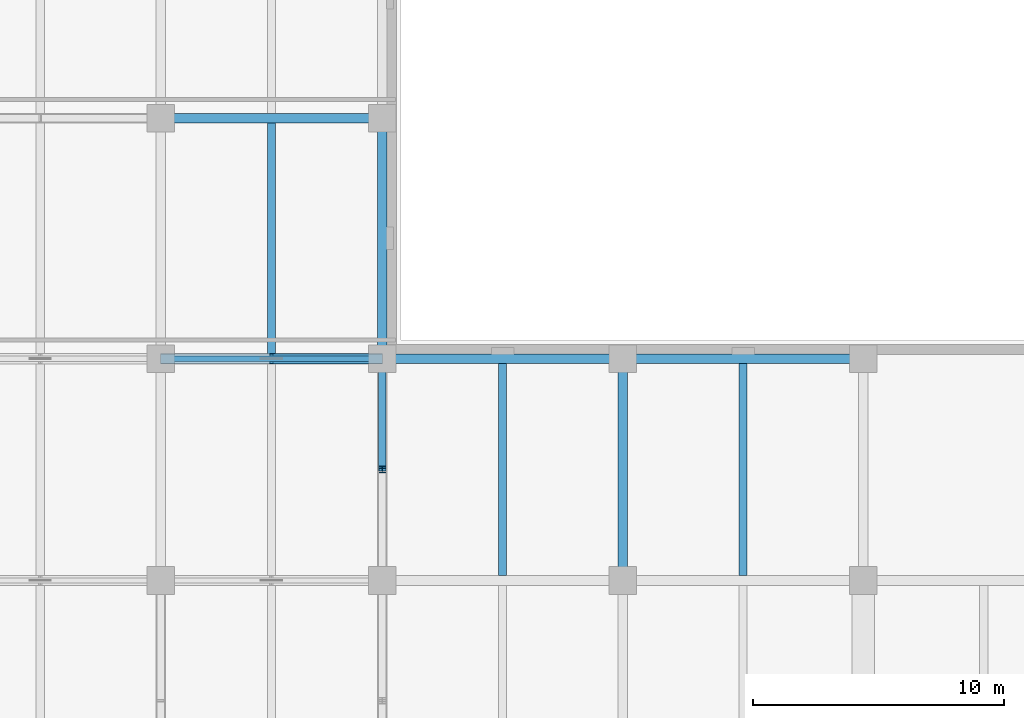
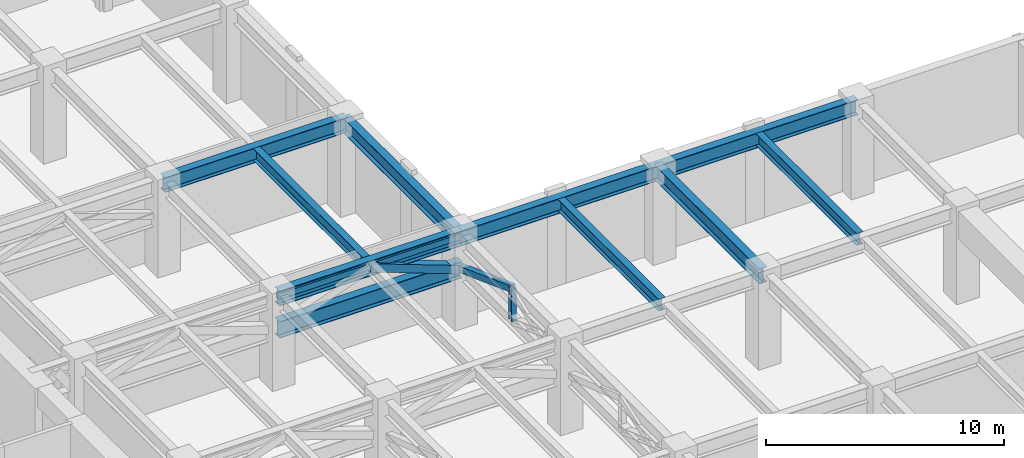
# One storey, part 8 of 22: 10 beams, 4 members.
"""IFC4 building model written with IfcOpenShell, lengths in metres."""

from ifc_helpers import new_model, si_unit, direction, frame, origin, origin_2d, place, context, subcontext, project, spatial, hollow_rectangle, i_section, extrude, material, material_profile, profile_set, type_object, element, save


model = new_model("IFC4")

# Units and contexts
model_context = context("Model", 3, precision=1e-05, world=origin(), true_north=direction((0.0, 1.0)))
body_context = subcontext(model_context, "Body", "Model", "MODEL_VIEW")
ifc_project = project(units=[si_unit("LENGTHUNIT", "METRE"), si_unit("AREAUNIT", "SQUARE_METRE"), si_unit("VOLUMEUNIT", "CUBIC_METRE"), si_unit("PLANEANGLEUNIT", "RADIAN"), si_unit("MASSUNIT", "GRAM", prefix="KILO")], contexts=[model_context])

# Site, building, storey
site_placement = place(None, origin())
site = spatial("IfcSite", under=ifc_project, at=site_placement, CompositionType="ELEMENT")
building_placement = place(site_placement, origin())
building = spatial("IfcBuilding", under=site, at=building_placement, Name="Norrvale University Quadrangle", CompositionType="ELEMENT")
storey_placement = place(building_placement, frame((0.0, 0.0, 96.39990234375)))
storey = spatial("IfcBuildingStorey", under=building, at=storey_placement, Name="L24", CompositionType="ELEMENT", Elevation=96.39990234375)

# Beams
ifc_material = material(Name="Steel 350W", Category="steel")
ifc_material_profile_1 = material_profile(ifc_material, i_section(OverallWidth=0.324951171875, OverallDepth=0.615966796875, WebThickness=0.013916015625, FlangeThickness=0.021484375, FilletRadius=0.01611328125, at=origin_2d()), Name="Steel 350W")
ifc_profile_set_1 = profile_set([ifc_material_profile_1], Name="Steel 350W")
beam_type_1 = type_object("IfcBeamType", Name="Beam Belt W610x174", PredefinedType="BEAM", material=ifc_profile_set_1)
beam_1_placement = place(storey_placement, frame((33.22509765625, 37.840576171875, 4.43212890625), z_axis=(0.0, 1.0, 0.0), x_axis=(-1.0, 0.0, 0.0)))
element("IfcBeam", 1, at=beam_1_placement, inside=storey, type_object=beam_type_1, Name="Beam Belt W610x174 BM-L24-J088", PredefinedType="BEAM", context=body_context, shape_type="SweptSolid", body=[
    extrude(i_section(OverallWidth=0.324951171875, OverallDepth=0.615966796875, WebThickness=0.013916015625, FlangeThickness=0.021484375, FilletRadius=0.01611328125, at=origin_2d()), origin(), (0.0, 0.0, 1.0), 9.218994140625),
])
for number, where, z_axis, x_axis, name in (
    (2, (42.449951171875, 28.990478515625, 4.43212890625), (0.0, 1.0, 0.0), (-1.0, 0.0, 0.0), "Beam Belt W610x174 BM-L24-J093"),
    (3, (52.050048828125, 28.990478515625, 4.43212890625), (0.0, 1.0, 0.0), (-1.0, 0.0, 0.0), "Beam Belt W610x174 BM-L24-J097"),
):
    element("IfcBeam", number, at=place(storey_placement, frame(where, z_axis=z_axis, x_axis=x_axis)), inside=storey, type_object=beam_type_1, Name=name, PredefinedType="BEAM", context=body_context, shape_type="SweptSolid", body=[
        extrude(i_section(OverallWidth=0.324951171875, OverallDepth=0.615966796875, WebThickness=0.013916015625, FlangeThickness=0.021484375, FilletRadius=0.01611328125, at=origin_2d()), origin(), (0.0, 0.0, 1.0), 8.468994140625),
    ])
ifc_material_profile_2 = material_profile(ifc_material, i_section(OverallWidth=0.381103515625, OverallDepth=0.77294921875, WebThickness=0.0166015625, FlangeThickness=0.027587890625, FilletRadius=0.02001953125, at=origin_2d()), Name="Steel 350W")
ifc_profile_set_2 = profile_set([ifc_material_profile_2], Name="Steel 350W")
beam_type_2 = type_object("IfcBeamType", Name="Beam Outrig W760x257", PredefinedType="BEAM", material=ifc_profile_set_2)
beam_2_placement = place(storey_placement, frame((28.800048828125, 37.64990234375, 4.353515625), z_axis=(1.0, 0.0, 0.0), x_axis=(0.0, 1.0, 0.0)))
element("IfcBeam", 4, at=beam_2_placement, inside=storey, type_object=beam_type_2, Name="Beam Outrig W760x257 BM-L24-GX022", PredefinedType="BEAM", context=body_context, shape_type="SweptSolid", body=[
    extrude(i_section(OverallWidth=0.381103515625, OverallDepth=0.77294921875, WebThickness=0.0166015625, FlangeThickness=0.027587890625, FilletRadius=0.02001953125, at=origin_2d()), origin(), (0.0, 0.0, 1.0), 8.849853515625),
])
for number, where, z_axis, x_axis, name in (
    (5, (37.64990234375, 37.64990234375, 4.353515625), (1.0, 0.0, 0.0), (0.0, 1.0, 0.0), "Beam Outrig W760x257 BM-L24-GX023"),
    (6, (47.25, 37.64990234375, 4.353515625), (1.0, 0.0, 0.0), (0.0, 1.0, 0.0), "Beam Outrig W760x257 BM-L24-GX024"),
):
    element("IfcBeam", number, at=place(storey_placement, frame(where, z_axis=z_axis, x_axis=x_axis)), inside=storey, type_object=beam_type_2, Name=name, PredefinedType="BEAM", context=body_context, shape_type="SweptSolid", body=[
        extrude(i_section(OverallWidth=0.381103515625, OverallDepth=0.77294921875, WebThickness=0.0166015625, FlangeThickness=0.027587890625, FilletRadius=0.02001953125, at=origin_2d()), origin(), (0.0, 0.0, 1.0), 9.60009765625),
    ])
beam_3_placement = place(storey_placement, frame((28.800048828125, 47.25, 4.353515625), z_axis=(1.0, 0.0, 0.0), x_axis=(0.0, 1.0, 0.0)))
element("IfcBeam", 7, at=beam_3_placement, inside=storey, type_object=beam_type_2, Name="Beam Outrig W760x257 BM-L24-GX026", PredefinedType="BEAM", context=body_context, shape_type="SweptSolid", body=[
    extrude(i_section(OverallWidth=0.381103515625, OverallDepth=0.77294921875, WebThickness=0.0166015625, FlangeThickness=0.027587890625, FilletRadius=0.02001953125, at=origin_2d()), origin(), (0.0, 0.0, 1.0), 8.849853515625),
])
beam_4_placement = place(storey_placement, frame((37.64990234375, 37.64990234375, 4.353515625), z_axis=(0.0, 1.0, 0.0), x_axis=(-1.0, 0.0, 0.0)))
element("IfcBeam", 8, at=beam_4_placement, inside=storey, type_object=beam_type_2, Name="Beam Outrig W760x257 BM-L24-GY057", PredefinedType="BEAM", context=body_context, shape_type="SweptSolid", body=[
    extrude(i_section(OverallWidth=0.381103515625, OverallDepth=0.77294921875, WebThickness=0.0166015625, FlangeThickness=0.027587890625, FilletRadius=0.02001953125, at=origin_2d()), origin(), (0.0, 0.0, 1.0), 9.60009765625),
])
beam_5_placement = place(storey_placement, frame((47.25, 28.800048828125, 4.353515625), z_axis=(0.0, 1.0, 0.0), x_axis=(-1.0, 0.0, 0.0)))
element("IfcBeam", 9, at=beam_5_placement, inside=storey, type_object=beam_type_2, Name="Beam Outrig W760x257 BM-L24-GY062", PredefinedType="BEAM", context=body_context, shape_type="SweptSolid", body=[
    extrude(i_section(OverallWidth=0.381103515625, OverallDepth=0.77294921875, WebThickness=0.0166015625, FlangeThickness=0.027587890625, FilletRadius=0.02001953125, at=origin_2d()), origin(), (0.0, 0.0, 1.0), 8.849853515625),
])
ifc_material_profile_3 = material_profile(ifc_material, i_section(OverallWidth=0.39990234375, OverallDepth=0.85498046875, WebThickness=0.018310546875, FlangeThickness=0.029296875, FilletRadius=0.02197265625, at=origin_2d()), Name="Steel 350W")
ifc_profile_set_3 = profile_set([ifc_material_profile_3], Name="Steel 350W")
beam_type_3 = type_object("IfcBeamType", Name="Beam Outrig W840x299", PredefinedType="BEAM", material=ifc_profile_set_3)
beam_6_placement = place(storey_placement, frame((28.800048828125, 37.64990234375, 2.75), z_axis=(1.0, 0.0, 0.0), x_axis=(0.0, 1.0, 0.0)))
element("IfcBeam", 10, at=beam_6_placement, inside=storey, type_object=beam_type_3, Name="Outrigger Bottom Chord L24-4.3", PredefinedType="BEAM", context=body_context, shape_type="SweptSolid", body=[
    extrude(i_section(OverallWidth=0.39990234375, OverallDepth=0.85498046875, WebThickness=0.018310546875, FlangeThickness=0.029296875, FilletRadius=0.02197265625, at=origin_2d()), origin(), (0.0, 0.0, 1.0), 8.849853515625),
])

# Members
ifc_material_profile_4 = material_profile(ifc_material, hollow_rectangle(XDim=0.304931640625, YDim=0.304931640625, WallThickness=0.012939453125, at=origin_2d()), Name="Steel 350W")
ifc_profile_set_4 = profile_set([ifc_material_profile_4], Name="Steel 350W")
member_type_1 = type_object("IfcMemberType", Name="Member Belt Diag HSS305", PredefinedType="BRACE", material=ifc_profile_set_4)
member_1_placement = place(storey_placement, frame((37.64990234375, 37.64990234375, 2.75), z_axis=(0.0, -0.937657613732, 0.347560353622), x_axis=(1.0, 0.0, 0.0)))
element("IfcMember", 11, at=member_1_placement, inside=storey, type_object=member_type_1, Name="Belt Truss Brace L24-03B", PredefinedType="BRACE", context=body_context, shape_type="SweptSolid", body=[
    extrude(hollow_rectangle(XDim=0.304931640625, YDim=0.304931640625, WallThickness=0.012939453125, at=origin_2d()), origin(), (0.0, 0.0, 1.0), 4.718994140625),
])
ifc_material_profile_5 = material_profile(ifc_material, hollow_rectangle(XDim=0.202880859375, YDim=0.304931640625, WallThickness=0.012939453125, at=origin_2d()), Name="Steel 350W")
ifc_profile_set_5 = profile_set([ifc_material_profile_5], Name="Steel 350W")
member_type_2 = type_object("IfcMemberType", Name="Member Chord HSS305x203", PredefinedType="CHORD", material=ifc_profile_set_5)
member_2_placement = place(storey_placement, frame((28.800048828125, 37.64990234375, 4.39013671875), z_axis=(1.0, 0.0, 0.0), x_axis=(0.0, 1.0, 0.0)))
element("IfcMember", 12, at=member_2_placement, inside=storey, type_object=member_type_2, Name="Outrigger Top Chord L24-4.3", PredefinedType="CHORD", context=body_context, shape_type="SweptSolid", body=[
    extrude(hollow_rectangle(XDim=0.202880859375, YDim=0.304931640625, WallThickness=0.012939453125, at=origin_2d()), origin(), (0.0, 0.0, 1.0), 8.849853515625),
])
ifc_material_profile_6 = material_profile(ifc_material, hollow_rectangle(XDim=0.406005859375, YDim=0.406005859375, WallThickness=0.01611328125, at=origin_2d()), Name="Steel 350W")
ifc_profile_set_6 = profile_set([ifc_material_profile_6], Name="Steel 350W")
member_type_3 = type_object("IfcMemberType", Name="Member Outrig Diag HSS406", PredefinedType="BRACE", material=ifc_profile_set_6)
member_3_placement = place(storey_placement, frame((37.64990234375, 37.64990234375, 2.75), z_axis=(-0.937657613732, 0.0, 0.347560353622), x_axis=(0.0, -1.0, 0.0)))
element("IfcMember", 13, at=member_3_placement, inside=storey, type_object=member_type_3, Name="Outrigger Truss Diagonal L24-4.3B", PredefinedType="BRACE", context=body_context, shape_type="SweptSolid", body=[
    extrude(hollow_rectangle(XDim=0.406005859375, YDim=0.406005859375, WallThickness=0.01611328125, at=origin_2d()), origin(), (0.0, 0.0, 1.0), 4.718994140625),
])
ifc_material_profile_7 = material_profile(ifc_material, i_section(OverallWidth=0.25390625, OverallDepth=0.2529296875, WebThickness=0.008544921875, FlangeThickness=0.01416015625, FilletRadius=0.011962890625, at=origin_2d()), Name="Steel 350W")
ifc_profile_set_7 = profile_set([ifc_material_profile_7], Name="Steel 350W")
member_type_4 = type_object("IfcMemberType", Name="Member Post W250x73", PredefinedType="POST", material=ifc_profile_set_7)
member_4_placement = place(storey_placement, frame((37.64990234375, 33.22509765625, 2.75), z_axis=(0.0, 0.0, 1.0), x_axis=(1.0, 0.0, 0.0)))
element("IfcMember", 14, at=member_4_placement, inside=storey, type_object=member_type_4, Name="Belt Truss Post L24-03", PredefinedType="POST", context=body_context, shape_type="SweptSolid", body=[
    extrude(i_section(OverallWidth=0.25390625, OverallDepth=0.2529296875, WebThickness=0.008544921875, FlangeThickness=0.01416015625, FilletRadius=0.011962890625, at=origin_2d()), origin(), (0.0, 0.0, 1.0), 1.64013671875),
])

save(model, "model.ifc")
